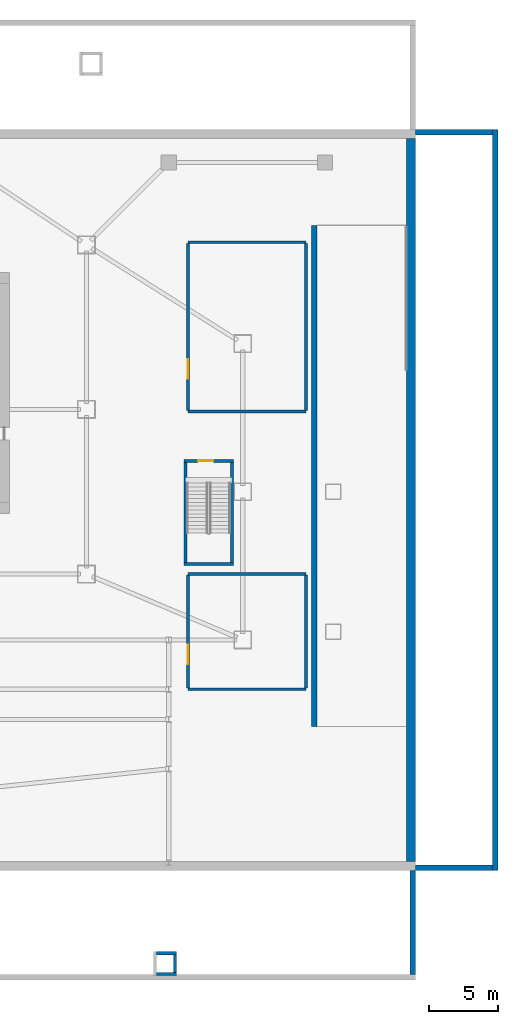
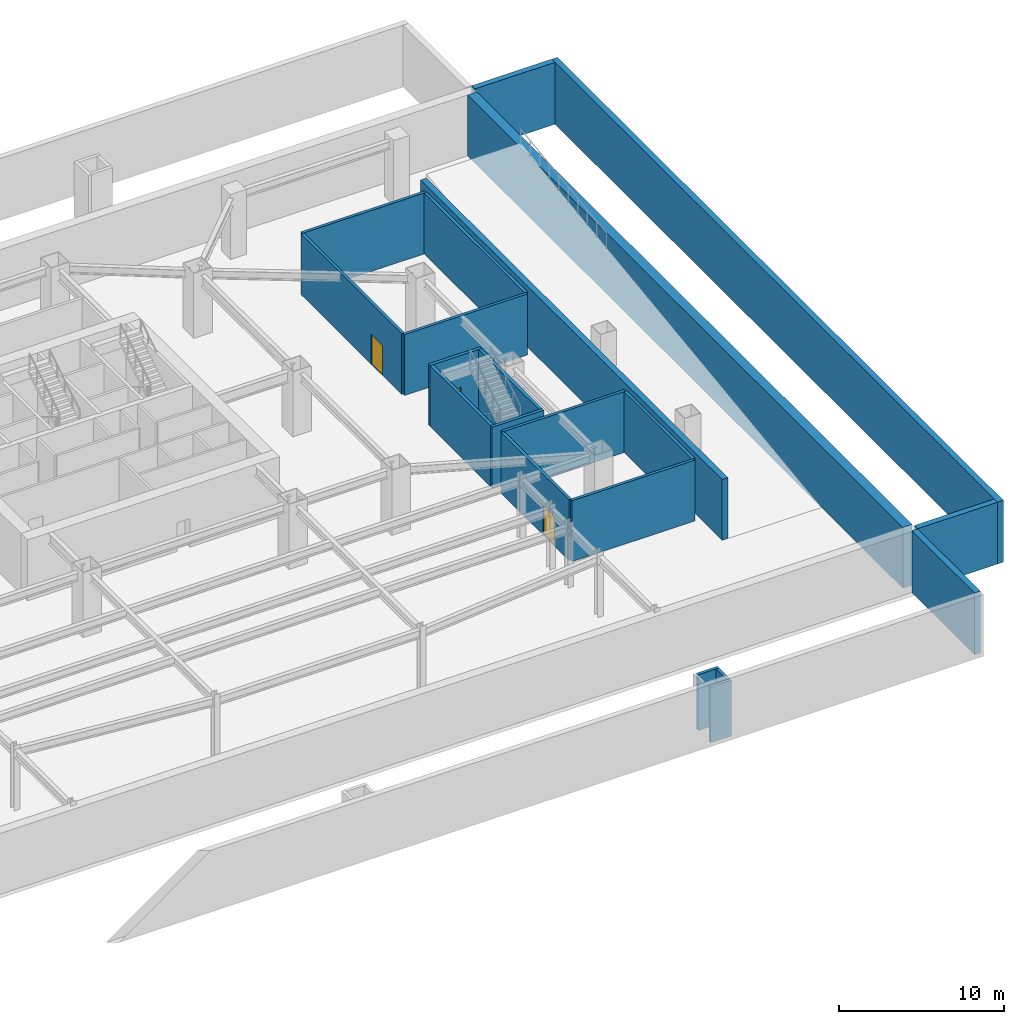
# One storey, part 10 of 15: 21 walls, 3 doors, 3 openings.
"""IFC4 building model written with IfcOpenShell, lengths in metres."""

from ifc_helpers import new_model, si_unit, direction, frame, frame_2d, origin, place, context, subcontext, project, spatial, rectangle, extrude, material, layer, layer_set, type_object, element, fill, save


model = new_model("IFC4")

# Units and contexts
model_context = context("Model", 3, precision=1e-05, world=origin(), true_north=direction((0.0, 1.0)))
body_context = subcontext(model_context, "Body", "Model", "MODEL_VIEW")
ifc_project = project(units=[si_unit("LENGTHUNIT", "METRE"), si_unit("AREAUNIT", "SQUARE_METRE"), si_unit("VOLUMEUNIT", "CUBIC_METRE"), si_unit("PLANEANGLEUNIT", "RADIAN"), si_unit("MASSUNIT", "GRAM", prefix="KILO")], contexts=[model_context])

# Site, building, storey
site_placement = place(None, origin())
site = spatial("IfcSite", under=ifc_project, at=site_placement, CompositionType="ELEMENT")
building_placement = place(site_placement, origin())
building = spatial("IfcBuilding", under=site, at=building_placement, Name="Haolan Belvedere Tower", CompositionType="ELEMENT")
storey_placement = place(building_placement, frame((0.0, 0.0, -4.800048828125)))
storey = spatial("IfcBuildingStorey", under=building, at=storey_placement, Name="B1", CompositionType="ELEMENT", Elevation=-4.800048828125)

# Walls
ifc_material_1 = material(Name="Concrete C40/50", Category="concrete")
ifc_layer_1 = layer(ifc_material_1, 0.199951171875, Name="Concrete C40/50")
ifc_layer_set_1 = layer_set([ifc_layer_1], Name="Concrete C40/50")
wall_type_1 = type_object("IfcWallType", Name="WL-FIRE-200", PredefinedType="SOLIDWALL", material=ifc_layer_set_1)
for number, where, z_axis, x_axis, name in (
    (1, (60.199951171875, 45.800048828125, 0.0), (0.0, 0.0, 1.0), (1.0, 0.0, 0.0), "B1 interior partition IW-B1-PLT-SUB-N"),
    (2, (60.199951171875, 33.449951171875, 0.0), (0.0, 0.0, 1.0), (1.0, 0.0, 0.0), "B1 interior partition IW-B1-PLT-SUB-S"),
):
    element("IfcWall", number, at=place(storey_placement, frame(where, z_axis=z_axis, x_axis=x_axis)), inside=storey, type_object=wall_type_1, Name=name, PredefinedType="SOLIDWALL", context=body_context, shape_type="SweptSolid", body=[
        extrude(rectangle(XDim=8.60009765625, YDim=0.199951171875, at=frame_2d((4.300048828125, 0.0))), origin(), (0.0, 0.0, 1.0), 4.5),
    ])

# Wall, opening, door
wall_1_placement = place(storey_placement, frame((60.199951171875, 33.534912109375, 0.0), z_axis=(0.0, 0.0, 1.0), x_axis=(0.0, 1.0, 0.0)))
wall_1 = element("IfcWall", 3, at=wall_1_placement, inside=storey, type_object=wall_type_1, Name="B1 interior partition IW-B1-PLT-SUB-W", PredefinedType="SOLIDWALL", context=body_context, shape_type="SweptSolid", body=[
    extrude(rectangle(XDim=12.18017578125, YDim=0.199951171875, at=frame_2d((6.090087890625, 0.0))), origin(), (0.0, 0.0, 1.0), 4.5),
])
opening_1_placement = place(wall_1_placement, frame((3.71484375, 0.0, 0.0), z_axis=(0.0, 0.0, 1.0), x_axis=(-1.0, 0.0, 0.0)))
opening_1 = element("IfcOpeningElement", 4, at=opening_1_placement, cuts=wall_1, Name="Opening FD-01", PredefinedType="OPENING", context=body_context, shape_type="SweptSolid", body=[
    extrude(rectangle(XDim=1.39990234375, YDim=2.199951171875, at=frame_2d((0.699951171875, 1.10009765625))), frame((0.0, 0.10986328125, 0.0), z_axis=(0.0, -1.0, 0.0), x_axis=(1.0, 0.0, 0.0)), (0.0, 0.0, 1.0), 0.219970703125),
])
ifc_material_2 = material(Name="Galvanised fire-rated steel", Category="steel")
door_type_1 = type_object("IfcDoorType", Name="DR-FD90-1400", OperationType="DOUBLE_DOOR_SINGLE_SWING", PredefinedType="DOOR", material=ifc_material_2)
door_1_placement = place(opening_1_placement, origin())
door_1 = element("IfcDoor", 5, at=door_1_placement, inside=storey, type_object=door_type_1, Name="B1 door ID-B1-PLT-SUB", OperationType="DOUBLE_DOOR_SINGLE_SWING", OverallHeight=2.199951171875, OverallWidth=1.39990234375, PredefinedType="DOOR", context=body_context, shape_type="SweptSolid", body=[
    extrude(rectangle(XDim=1.39990234375, YDim=2.199951171875, at=frame_2d((0.699951171875, 1.10009765625))), frame((0.0, 0.02490234375, 0.0), z_axis=(0.0, -1.0, 0.0), x_axis=(1.0, 0.0, 0.0)), (0.0, 0.0, 1.0), 0.050048828125),
])
fill(opening_1, door_1)

# Walls
wall_2_placement = place(storey_placement, frame((68.800048828125, 33.534912109375, 0.0), z_axis=(0.0, 0.0, 1.0), x_axis=(0.0, 1.0, 0.0)))
element("IfcWall", 6, at=wall_2_placement, inside=storey, type_object=wall_type_1, Name="B1 interior partition IW-B1-PLT-SUB-E", PredefinedType="SOLIDWALL", context=body_context, shape_type="SweptSolid", body=[
    extrude(rectangle(XDim=12.18017578125, YDim=0.199951171875, at=frame_2d((6.090087890625, 0.0))), origin(), (0.0, 0.0, 1.0), 4.5),
])
for number, where, z_axis, x_axis, name in (
    (7, (60.199951171875, 21.60009765625, 0.0), (0.0, 0.0, 1.0), (1.0, 0.0, 0.0), "B1 interior partition IW-B1-PLT-GEN-N"),
    (8, (60.199951171875, 13.199951171875, 0.0), (0.0, 0.0, 1.0), (1.0, 0.0, 0.0), "B1 interior partition IW-B1-PLT-GEN-S"),
):
    element("IfcWall", number, at=place(storey_placement, frame(where, z_axis=z_axis, x_axis=x_axis)), inside=storey, type_object=wall_type_1, Name=name, PredefinedType="SOLIDWALL", context=body_context, shape_type="SweptSolid", body=[
        extrude(rectangle(XDim=8.60009765625, YDim=0.199951171875, at=frame_2d((4.300048828125, 0.0))), origin(), (0.0, 0.0, 1.0), 4.5),
    ])

# Wall, opening, door
wall_3_placement = place(storey_placement, frame((60.199951171875, 13.284912109375, 0.0), z_axis=(0.0, 0.0, 1.0), x_axis=(0.0, 1.0, 0.0)))
wall_3 = element("IfcWall", 9, at=wall_3_placement, inside=storey, type_object=wall_type_1, Name="B1 interior partition IW-B1-PLT-GEN-W", PredefinedType="SOLIDWALL", context=body_context, shape_type="SweptSolid", body=[
    extrude(rectangle(XDim=8.22998046875, YDim=0.199951171875, at=frame_2d((4.114990234375, 0.0))), origin(), (0.0, 0.0, 1.0), 4.5),
])
opening_2_placement = place(wall_3_placement, frame((3.143310546875, 0.0, 0.0), z_axis=(0.0, 0.0, 1.0), x_axis=(-1.0, 0.0, 0.0)))
opening_2 = element("IfcOpeningElement", 10, at=opening_2_placement, cuts=wall_3, Name="Opening FD-01", PredefinedType="OPENING", context=body_context, shape_type="SweptSolid", body=[
    extrude(rectangle(XDim=1.39990234375, YDim=2.199951171875, at=frame_2d((0.699951171875, 1.10009765625))), frame((0.0, 0.10986328125, 0.0), z_axis=(0.0, -1.0, 0.0), x_axis=(1.0, 0.0, 0.0)), (0.0, 0.0, 1.0), 0.219970703125),
])
door_2_placement = place(opening_2_placement, origin())
door_2 = element("IfcDoor", 11, at=door_2_placement, inside=storey, type_object=door_type_1, Name="B1 door ID-B1-PLT-GEN", OperationType="DOUBLE_DOOR_SINGLE_SWING", OverallHeight=2.199951171875, OverallWidth=1.39990234375, PredefinedType="DOOR", context=body_context, shape_type="SweptSolid", body=[
    extrude(rectangle(XDim=1.39990234375, YDim=2.199951171875, at=frame_2d((0.699951171875, 1.10009765625))), frame((0.0, 0.02490234375, 0.0), z_axis=(0.0, -1.0, 0.0), x_axis=(1.0, 0.0, 0.0)), (0.0, 0.0, 1.0), 0.050048828125),
])
fill(opening_2, door_2)

# Walls
wall_4_placement = place(storey_placement, frame((68.800048828125, 13.284912109375, 0.0), z_axis=(0.0, 0.0, 1.0), x_axis=(0.0, 1.0, 0.0)))
element("IfcWall", 12, at=wall_4_placement, inside=storey, type_object=wall_type_1, Name="B1 interior partition IW-B1-PLT-GEN-E", PredefinedType="SOLIDWALL", context=body_context, shape_type="SweptSolid", body=[
    extrude(rectangle(XDim=8.22998046875, YDim=0.199951171875, at=frame_2d((4.114990234375, 0.0))), origin(), (0.0, 0.0, 1.0), 4.5),
])
ifc_material_3 = material(Name="Concrete C50/60", Category="concrete")
ifc_layer_2 = layer(ifc_material_3, 0.64990234375, Name="Concrete C50/60")
ifc_layer_set_2 = layer_set([ifc_layer_2], Name="Concrete C50/60")
wall_type_2 = type_object("IfcWallType", Name="WL-RET-650", PredefinedType="USERDEFINED", material=ifc_layer_set_2)
wall_5_placement = place(storey_placement, frame((76.47509765625, 0.64990234375, 0.0), z_axis=(0.0, 0.0, 1.0), x_axis=(0.0, 1.0, 0.0)))
element("IfcWall", 13, at=wall_5_placement, inside=storey, type_object=wall_type_2, Name="B1 perimeter retaining wall E", ObjectType="RETAINING", PredefinedType="USERDEFINED", context=body_context, shape_type="SweptSolid", body=[
    extrude(rectangle(XDim=52.7001953125, YDim=0.64990234375, at=frame_2d((26.35009765625, 0.0))), origin(), (0.0, 0.0, 1.0), 4.5),
])
ifc_layer_3 = layer(ifc_material_3, 0.39990234375, Name="Concrete C50/60")
ifc_layer_set_3 = layer_set([ifc_layer_3], Name="Concrete C50/60")
wall_type_3 = type_object("IfcWallType", Name="WL-RMP-400", PredefinedType="SOLIDWALL", material=ifc_layer_set_3)
wall_6_placement = place(storey_placement, frame((69.39990234375, 10.5, 0.0), z_axis=(0.0, 0.0, 1.0), x_axis=(0.0, 1.0, 0.0)))
element("IfcWall", 14, at=wall_6_placement, inside=storey, type_object=wall_type_3, Name="B1 east vehicle ramp structural wall", PredefinedType="SOLIDWALL", context=body_context, shape_type="SweptSolid", body=[
    extrude(rectangle(XDim=36.5, YDim=0.39990234375, at=frame_2d((18.25, 0.0))), origin(), (0.0, 0.0, 1.0), 4.5),
])
wall_7_placement = place(storey_placement, frame((76.60009765625, -7.60009765625, 0.0), z_axis=(0.0, 0.0, 1.0), x_axis=(0.0, 1.0, 0.0)))
element("IfcWall", 15, at=wall_7_placement, inside=storey, type_object=wall_type_3, Name="B1 apron support wall APW-S-E", PredefinedType="SOLIDWALL", context=body_context, shape_type="SweptSolid", body=[
    extrude(rectangle(XDim=7.60009765625, YDim=0.39990234375, at=frame_2d((3.800048828125, 0.0))), origin(), (0.0, 0.0, 1.0), 4.570068359375),
])
wall_8_placement = place(storey_placement, frame((82.60009765625, 0.0, 0.0), z_axis=(0.0, 0.0, 1.0), x_axis=(0.0, 1.0, 0.0)))
element("IfcWall", 16, at=wall_8_placement, inside=storey, type_object=wall_type_3, Name="B1 apron support wall APW-E-OUT", PredefinedType="SOLIDWALL", context=body_context, shape_type="SweptSolid", body=[
    extrude(rectangle(XDim=54.0, YDim=0.39990234375, at=frame_2d((27.0, 0.0))), origin(), (0.0, 0.0, 1.0), 4.570068359375),
])
for number, where, z_axis, x_axis, name in (
    (17, (76.800048828125, 0.199951171875, 0.0), (0.0, 0.0, 1.0), (1.0, 0.0, 0.0), "B1 apron support wall APW-E-S"),
    (18, (76.800048828125, 53.800048828125, 0.0), (0.0, 0.0, 1.0), (1.0, 0.0, 0.0), "B1 apron support wall APW-E-N"),
):
    element("IfcWall", number, at=place(storey_placement, frame(where, z_axis=z_axis, x_axis=x_axis)), inside=storey, type_object=wall_type_3, Name=name, PredefinedType="SOLIDWALL", context=body_context, shape_type="SweptSolid", body=[
        extrude(rectangle(XDim=5.599853515625, YDim=0.39990234375, at=frame_2d((2.7998046875, 0.0))), origin(), (0.0, 0.0, 1.0), 4.570068359375),
    ])

# Wall, opening, door
ifc_layer_4 = layer(ifc_material_3, 0.219970703125, Name="Concrete C50/60")
ifc_layer_set_4 = layer_set([ifc_layer_4], Name="Concrete C50/60")
wall_type_4 = type_object("IfcWallType", Name="WL-STAIR-220", PredefinedType="SHEAR", material=ifc_layer_set_4)
wall_9_placement = place(storey_placement, frame((59.89990234375, 29.860107421875, 0.0), z_axis=(0.0, 0.0, 1.0), x_axis=(1.0, 0.0, 0.0)))
wall_9 = element("IfcWall", 19, at=wall_9_placement, inside=storey, type_object=wall_type_4, Name="B1 podium stair ST5 structural shaft wall N", PredefinedType="SHEAR", context=body_context, shape_type="SweptSolid", body=[
    extrude(rectangle(XDim=3.6201171875, YDim=0.219970703125, at=frame_2d((1.81005859375, 0.0))), origin(), (0.0, 0.0, 1.0), 4.5),
])
opening_3_placement = place(wall_9_placement, frame((1.050048828125, 0.0, 0.0)))
opening_3 = element("IfcOpeningElement", 20, at=opening_3_placement, cuts=wall_9, Name="Opening FD-03", PredefinedType="OPENING", context=body_context, shape_type="SweptSolid", body=[
    extrude(rectangle(XDim=1.10009765625, YDim=2.14990234375, at=frame_2d((0.550048828125, 1.074951171875))), frame((0.0, 0.119873046875, 0.0), z_axis=(0.0, -1.0, 0.0), x_axis=(1.0, 0.0, 0.0)), (0.0, 0.0, 1.0), 0.239990234375),
])
door_type_2 = type_object("IfcDoorType", Name="DR-FD90-1100", OperationType="NOTDEFINED", PredefinedType="DOOR", material=ifc_material_2)
door_3_placement = place(opening_3_placement, origin())
door_3 = element("IfcDoor", 21, at=door_3_placement, inside=storey, type_object=door_type_2, Name="B1 door ID-B1-D-ST5", OperationType="SINGLE_SWING_RIGHT", OverallHeight=2.14990234375, OverallWidth=1.10009765625, PredefinedType="DOOR", context=body_context, shape_type="SweptSolid", body=[
    extrude(rectangle(XDim=1.10009765625, YDim=2.14990234375, at=frame_2d((0.550048828125, 1.074951171875))), frame((0.0, 0.02490234375, 0.0), z_axis=(0.0, -1.0, 0.0), x_axis=(1.0, 0.0, 0.0)), (0.0, 0.0, 1.0), 0.050048828125),
])
fill(opening_3, door_3)

# Walls
wall_10_placement = place(storey_placement, frame((59.89990234375, 22.340087890625, 0.0), z_axis=(0.0, 0.0, 1.0), x_axis=(1.0, 0.0, 0.0)))
element("IfcWall", 22, at=wall_10_placement, inside=storey, type_object=wall_type_4, Name="B1 podium stair ST5 structural shaft wall S", PredefinedType="SHEAR", context=body_context, shape_type="SweptSolid", body=[
    extrude(rectangle(XDim=3.6201171875, YDim=0.219970703125, at=frame_2d((1.81005859375, 0.0))), origin(), (0.0, 0.0, 1.0), 4.5),
])
for number, where, z_axis, x_axis, name in (
    (23, (60.010009765625, 22.449951171875, 0.0), (0.0, 0.0, 1.0), (0.0, 1.0, 0.0), "B1 podium stair ST5 structural shaft wall W"),
    (24, (63.409912109375, 22.449951171875, 0.0), (0.0, 0.0, 1.0), (0.0, 1.0, 0.0), "B1 podium stair ST5 structural shaft wall E"),
):
    element("IfcWall", number, at=place(storey_placement, frame(where, z_axis=z_axis, x_axis=x_axis)), inside=storey, type_object=wall_type_4, Name=name, PredefinedType="SHEAR", context=body_context, shape_type="SweptSolid", body=[
        extrude(rectangle(XDim=7.300048828125, YDim=0.219970703125, at=frame_2d((3.64990234375, 0.0))), origin(), (0.0, 0.0, 1.0), 4.5),
    ])
for number, where, z_axis, x_axis, name in (
    (25, (57.909912109375, -6.050048828125, 0.0), (0.0, 0.0, 1.0), (1.0, 0.0, 0.0), "South-east plaza step-free accessible ramp AR-2 foundation stem wall B1 N"),
    (26, (57.909912109375, -7.550048828125, 0.0), (0.0, 0.0, 1.0), (1.0, 0.0, 0.0), "South-east plaza step-free accessible ramp AR-2 foundation stem wall B1 S"),
):
    element("IfcWall", number, at=place(storey_placement, frame(where, z_axis=z_axis, x_axis=x_axis)), inside=storey, type_object=wall_type_4, Name=name, PredefinedType="SHEAR", context=body_context, shape_type="SweptSolid", body=[
        extrude(rectangle(XDim=1.469970703125, YDim=0.219970703125, at=frame_2d((0.73486328125, 0.0))), origin(), (0.0, 0.0, 1.0), 4.1201171875),
    ])
wall_11_placement = place(storey_placement, frame((59.27001953125, -7.43994140625, 0.0), z_axis=(0.0, 0.0, 1.0), x_axis=(0.0, 1.0, 0.0)))
element("IfcWall", 27, at=wall_11_placement, inside=storey, type_object=wall_type_4, Name="South-east plaza step-free accessible ramp AR-2 foundation stem wall B1 E", PredefinedType="SHEAR", context=body_context, shape_type="SweptSolid", body=[
    extrude(rectangle(XDim=1.280029296875, YDim=0.219970703125, at=frame_2d((0.64013671875, 0.0))), origin(), (0.0, 0.0, 1.0), 4.1201171875),
])

save(model, "model.ifc")
